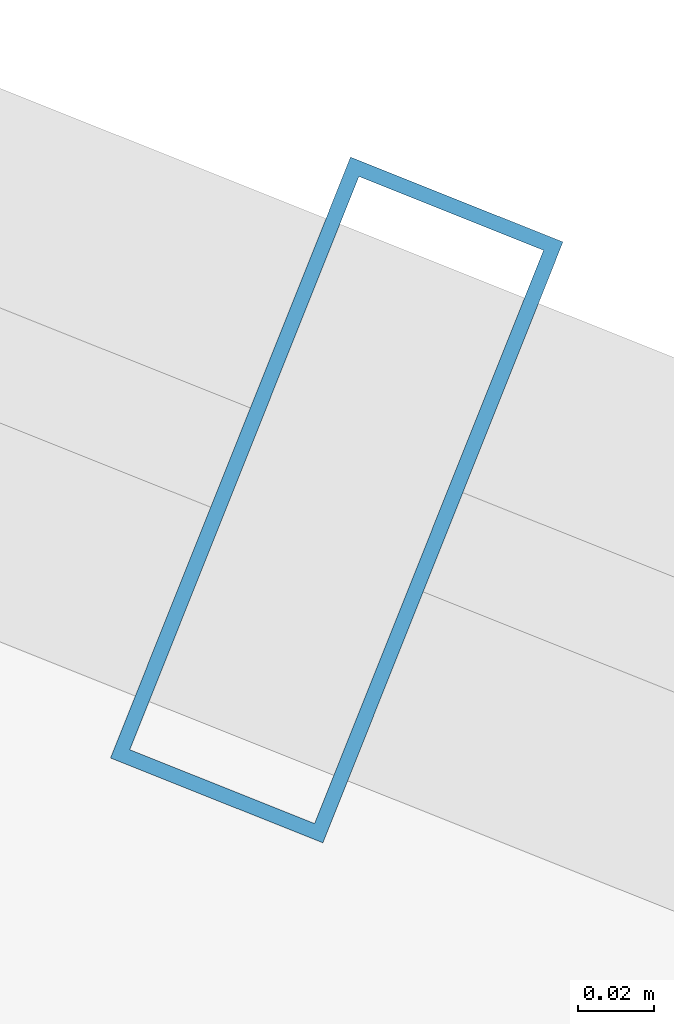
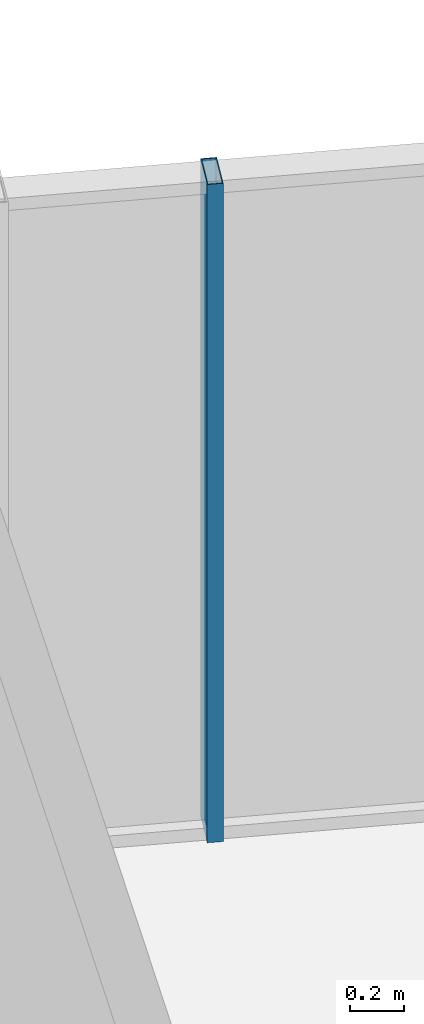
# One storey, part 26 of 34: 1 member, 1 element without a shape of its own.
"""IFC4 building model written with IfcOpenShell, lengths in metres."""

from ifc_helpers import new_model, si_unit, direction, frame, origin, origin_2d, place, context, subcontext, project, spatial, hollow_rectangle, extrude, source, transform, mapped, material, layer, layer_set, material_profile, profile_set, type_object, element, aggregate, save


model = new_model("IFC4")

# Units and contexts
model_context = context("Model", 3, precision=1e-05, world=origin(), true_north=direction((0.0, 1.0)))
body_context = subcontext(model_context, "Body", "Model", "MODEL_VIEW")
ifc_project = project(units=[si_unit("LENGTHUNIT", "METRE"), si_unit("AREAUNIT", "SQUARE_METRE"), si_unit("VOLUMEUNIT", "CUBIC_METRE"), si_unit("PLANEANGLEUNIT", "RADIAN"), si_unit("MASSUNIT", "GRAM", prefix="KILO")], contexts=[model_context])

# Site, building, storey
site_placement = place(None, origin())
site = spatial("IfcSite", under=ifc_project, at=site_placement, CompositionType="ELEMENT")
building_placement = place(site_placement, origin())
building = spatial("IfcBuilding", under=site, at=building_placement, Name="Veraguas Prism Commons", CompositionType="ELEMENT")
storey_placement = place(building_placement, frame((0.0, 0.0, 155.5)))
storey = spatial("IfcBuildingStorey", under=building, at=storey_placement, Name="L44", CompositionType="ELEMENT", Elevation=155.5)

# Curtain wall, member
ifc_material = material(Name="Anodised aluminium EN AW-6063 T6", Category="aluminium")
ifc_layer = layer(ifc_material, 0.169921875, Name="Unitised Flush Curtain Wall Zone 2", Category="aluminium")
ifc_layer_set = layer_set([ifc_layer], Name="Anodised aluminium EN AW-6063 T6")
curtain_wall_type = type_object("IfcCurtainWallType", Name="Unitised Flush Curtain Wall Zone 2", PredefinedType="NOTDEFINED", material=ifc_layer_set)
curtain_wall_placement = place(storey_placement, origin())
curtain_wall = element("IfcCurtainWall", 1, at=curtain_wall_placement, inside=storey, type_object=curtain_wall_type, Name="Tower Facade Curtain Wall L44-F1", PredefinedType="NOTDEFINED")
ifc_material_profile = material_profile(ifc_material, hollow_rectangle(XDim=0.06005859375, YDim=0.169921875, WallThickness=0.00390625, at=origin_2d()), Name="AL60X170X4")
ifc_profile_set = profile_set([ifc_material_profile], Name="Anodised aluminium EN AW-6063 T6")
member_type = type_object("IfcMemberType", Name="Curtain Wall Mullion Lower AL 60x170x4", PredefinedType="MULLION", material=ifc_profile_set)
shared_shape = source(origin(), body_context, "Body", "SweptSolid", [
    extrude(hollow_rectangle(XDim=0.06005859375, YDim=0.169921875, WallThickness=0.00390625, at=origin_2d()), origin(), (0.0, 0.0, 1.0), 2.969970703125),
])
member_placement = place(storey_placement, frame((35.11865234375, 40.21435546875, 0.0), z_axis=(0.0, 0.0, 1.0), x_axis=(-0.928617344909, 0.371038848013, 0.0)))
member = element("IfcMember", 2, at=member_placement, type_object=member_type, Name="CW-Z2 Mullion 2", PredefinedType="MULLION", context=body_context, shape_type="MappedRepresentation", body=[
    mapped(shared_shape, transform((0.0, 0.0, 0.0), scale=1.0)),
])
aggregate(curtain_wall, [member])

save(model, "model.ifc")
